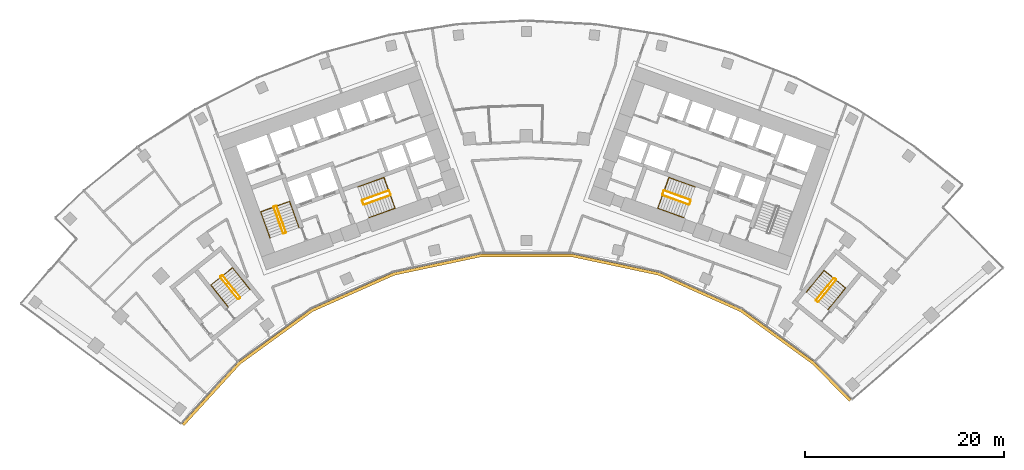
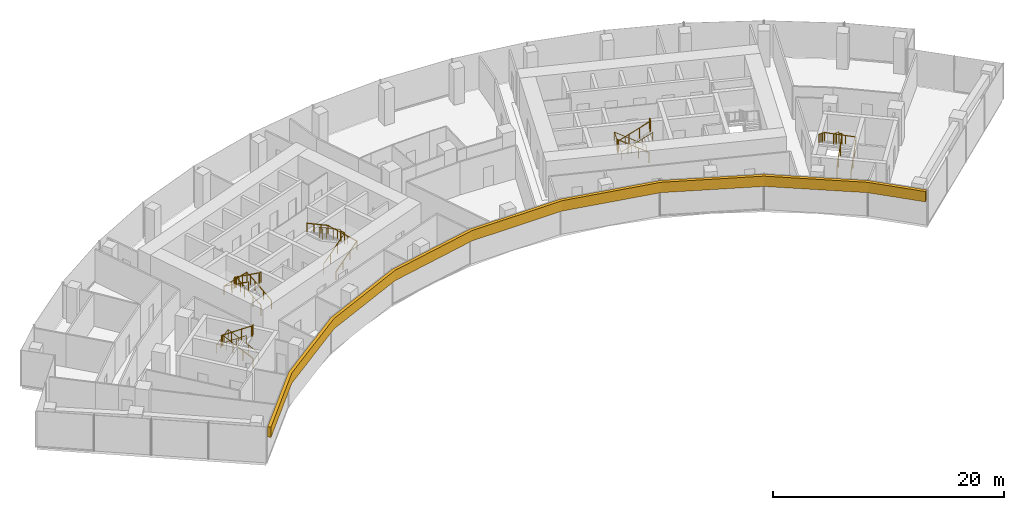
# One storey, part 19 of 20: 15 railings, 1 covering.
"""IFC4 building model written with IfcOpenShell, lengths in metres."""

import ifcopenshell
import ifcopenshell.guid

model = None  # the IFC model being written
_history = None  # IfcOwnerHistory: only IFC2X3 demands one
_inside = {}  # id of a spatial element -> (the spatial element, [elements in it])
_under = {}  # id of a project, library or spatial element -> (it, [spatial elements below it])
_declared = {}  # id of a project -> (the project, [libraries it declares])
_typed = {}  # id of a type object -> (the type object, [elements of that type])
_made_of = {}  # id of a material, layer set ... -> (it, [elements and type objects made of it])


def new_model(schema):
    """Start an empty IFC model of exactly this schema.

    Asked for "IFC4X3", IfcOpenShell would pick the latest addendum, in which some entities
    have other attributes; the version numbers below select the first issue.
    IFC2X3 requires an IfcOwnerHistory on every rooted entity: one is made here for all.
    """
    global model, _history
    if schema == "IFC4X3":
        model = ifcopenshell.file(schema_version=(4, 3, 0, 0))
    else:
        model = ifcopenshell.file(schema=schema)
    _inside.clear()
    _under.clear()
    _declared.clear()
    _typed.clear()
    _made_of.clear()
    _history = None
    if model.schema == "IFC2X3":
        org = make("IfcOrganization", Name="unknown")
        user = make(
            "IfcPersonAndOrganization",
            ThePerson=make("IfcPerson", FamilyName="unknown"),
            TheOrganization=org,
        )
        app = make(
            "IfcApplication",
            ApplicationDeveloper=org,
            Version="unknown",
            ApplicationFullName="unknown",
            ApplicationIdentifier="unknown",
        )
        _history = make(
            "IfcOwnerHistory",
            OwningUser=user,
            OwningApplication=app,
            ChangeAction="ADDED",
            CreationDate=0,
        )
    return model


def make(cls, **values):
    """One entity of the class cls with the attributes given. An attribute that is None is left unset."""
    return model.create_entity(
        cls, **{name: value for name, value in values.items() if value is not None}
    )


def rooted(cls, **values):
    """An entity with a GlobalId (a new one), such as an element, a storey or a relation."""
    return make(cls, GlobalId=ifcopenshell.guid.new(), OwnerHistory=_history, **values)


def si_unit(unit_type, name, prefix=None):
    """IfcSIUnit, for example si_unit("LENGTHUNIT", "METRE", prefix="MILLI")."""
    return make("IfcSIUnit", UnitType=unit_type, Prefix=prefix, Name=name)


def assignment(units):
    """IfcUnitAssignment: the units of a project."""
    return None if units is None else make("IfcUnitAssignment", Units=units)


def point(xyz):
    """IfcCartesianPoint."""
    return None if xyz is None else make("IfcCartesianPoint", Coordinates=xyz)


def direction(xyz):
    """IfcDirection."""
    return None if xyz is None else make("IfcDirection", DirectionRatios=xyz)


def frame(location, z_axis=None, x_axis=None):
    """IfcAxis2Placement3D, a coordinate frame: its origin and axes. An axis left out is left unset."""
    return make(
        "IfcAxis2Placement3D",
        Location=point(location),
        Axis=direction(z_axis),
        RefDirection=direction(x_axis),
    )


def frame_2d(location, x_axis=None):
    """IfcAxis2Placement2D, a coordinate frame in the plane: its origin and x axis."""
    return make(
        "IfcAxis2Placement2D", Location=point(location), RefDirection=direction(x_axis)
    )


def origin():
    """The frame at (0, 0, 0) with its axes left unset."""
    return frame((0.0, 0.0, 0.0))


def origin_2d():
    """The frame at (0, 0) in the plane with its x axis left unset."""
    return frame_2d((0.0, 0.0))


def place(relative_to, where):
    """IfcLocalPlacement: puts the frame where relative to a parent placement (None: the world)."""
    return make(
        "IfcLocalPlacement", PlacementRelTo=relative_to, RelativePlacement=where
    )


def context(
    kind, dimensions, precision=None, world=None, true_north=None, identifier=None
):
    """IfcGeometricRepresentationContext, for example the 3D "Model" context."""
    return make(
        "IfcGeometricRepresentationContext",
        ContextIdentifier=identifier,
        ContextType=kind,
        CoordinateSpaceDimension=dimensions,
        Precision=precision,
        WorldCoordinateSystem=world,
        TrueNorth=true_north,
    )


def subcontext(parent, identifier, kind, view, scale=None):
    """IfcGeometricRepresentationSubContext, for example "Body" below "Model"."""
    return make(
        "IfcGeometricRepresentationSubContext",
        ContextIdentifier=identifier,
        ContextType=kind,
        ParentContext=parent,
        TargetScale=scale,
        TargetView=view,
    )


def project(units=None, contexts=None):
    """IfcProject with its units and contexts."""
    return rooted(
        "IfcProject",
        Name="project",
        RepresentationContexts=contexts,
        UnitsInContext=assignment(units),
    )


def spatial(cls, under=None, at=None, **own):
    """A site, building, storey or space (cls), placed at a placement, below another one or the project."""
    s = rooted(cls, ObjectPlacement=at, **own)
    if under is not None:
        _under.setdefault(under.id(), (under, []))[1].append(s)
    return s


def polyline(points):
    """IfcPolyline through the points."""
    return make("IfcPolyline", Points=[point(p) for p in points])


def profile(cls, at=None, kind="AREA", **sizes):
    """A parametric profile (cls). Its sizes go by their IFC names, for example OverallWidth=200.0."""
    return make(cls, ProfileType=kind, Position=at, **sizes)


def circle(**sizes):
    """IfcCircleProfileDef."""
    return profile("IfcCircleProfileDef", **sizes)


def outline(outer, holes=None, kind="AREA"):
    """IfcArbitraryClosedProfileDef: a profile drawn as a closed curve; with holes, ...WithVoids."""
    if holes is None:
        return make("IfcArbitraryClosedProfileDef", ProfileType=kind, OuterCurve=outer)
    return make(
        "IfcArbitraryProfileDefWithVoids",
        ProfileType=kind,
        OuterCurve=outer,
        InnerCurves=holes,
    )


def extrude(swept, where, along, depth):
    """IfcExtrudedAreaSolid: the profile swept, set in the frame where, extruded along a direction by depth."""
    return make(
        "IfcExtrudedAreaSolid",
        SweptArea=swept,
        Position=where,
        ExtrudedDirection=direction(along),
        Depth=depth,
    )


def shape(context_of_items, identifier, shape_type, items):
    """IfcShapeRepresentation: the items that make up one representation, for example the "Body"."""
    return make(
        "IfcShapeRepresentation",
        ContextOfItems=context_of_items,
        RepresentationIdentifier=identifier,
        RepresentationType=shape_type,
        Items=items,
    )


def material(Name=None, Category=None):
    """IfcMaterial."""
    return make("IfcMaterial", Name=Name, Category=Category)


def layer(
    of_material, thickness, ventilated=None, Name=None, Category=None, Priority=None
):
    """IfcMaterialLayer: one layer of a wall or slab, of a material (None: an air gap)."""
    return make(
        "IfcMaterialLayer",
        Material=of_material,
        LayerThickness=thickness,
        IsVentilated=ventilated,
        Name=Name,
        Category=Category,
        Priority=Priority,
    )


def layer_set(layers, Name=None):
    """IfcMaterialLayerSet."""
    return make("IfcMaterialLayerSet", MaterialLayers=layers, LayerSetName=Name)


def made_of(thing, what):
    """Note that an element or type object is made of a material, layer set ...; save() writes the relation."""
    if what is not None:
        _made_of.setdefault(what.id(), (what, []))[1].append(thing)
    return thing


def type_object(cls, material=None, **own):
    """A type object (cls), such as IfcWallType, which elements share."""
    return made_of(rooted(cls, **own), material)


def element(
    cls,
    number,
    at=None,
    inside=None,
    cuts=None,
    type_object=None,
    material=None,
    context=None,
    identifier="Body",
    shape_type=None,
    held_by="IfcProductDefinitionShape",
    body=None,
    shapes=None,
    **own,
):
    """One element of the class cls, such as IfcWall. Its Tag is "e" and its number.

    at: its placement. inside: the storey or other place that contains it. cuts: it is an
    opening in that element (IfcRelVoidsElement). A single representation is given by context,
    identifier, shape_type and body (its items); several are given by shapes. held_by: the class
    of the entity that holds the representations. save() writes the other relations.
    """
    e = rooted(cls, Tag="e%d" % number, ObjectPlacement=at, **own)
    if body is not None:
        shapes = [shape(context, identifier, shape_type, body)]
    if shapes is not None:
        e.Representation = make(held_by, Representations=shapes)
    if inside is not None:
        _inside.setdefault(inside.id(), (inside, []))[1].append(e)
    if cuts is not None:
        rooted(
            "IfcRelVoidsElement", RelatingBuildingElement=cuts, RelatedOpeningElement=e
        )
    if type_object is not None:
        _typed.setdefault(type_object.id(), (type_object, []))[1].append(e)
    return made_of(e, material)


def aggregate(whole, parts):
    """IfcRelAggregates: a whole, such as a stair, and the parts it consists of."""
    return rooted("IfcRelAggregates", RelatingObject=whole, RelatedObjects=parts)


def save(model, path):
    """Write the relations noted so far, then the file.

    IfcRelAggregates (storeys below a building ...), IfcRelContainedInSpatialStructure (elements
    in a storey), IfcRelDefinesByType, IfcRelAssociatesMaterial and IfcRelDeclares: one each for
    every whole, place, type object, material and project.
    """
    for whole, parts in _under.values():
        aggregate(whole, parts)
    for where, things in _inside.values():
        rooted(
            "IfcRelContainedInSpatialStructure",
            RelatedElements=things,
            RelatingStructure=where,
        )
    for kind, things in _typed.values():
        rooted("IfcRelDefinesByType", RelatedObjects=things, RelatingType=kind)
    for what, things in _made_of.values():
        rooted("IfcRelAssociatesMaterial", RelatedObjects=things, RelatingMaterial=what)
    for by, libraries in _declared.values():
        rooted("IfcRelDeclares", RelatingContext=by, RelatedDefinitions=libraries)
    model.write(path)


model = new_model("IFC4")

# Units and contexts
model_context = context("Model", 3, precision=1e-05, world=origin(), true_north=direction((0.0, 1.0)))
body_context = subcontext(model_context, "Body", "Model", "MODEL_VIEW")
ifc_project = project(units=[si_unit("LENGTHUNIT", "METRE"), si_unit("AREAUNIT", "SQUARE_METRE"), si_unit("VOLUMEUNIT", "CUBIC_METRE"), si_unit("PLANEANGLEUNIT", "RADIAN"), si_unit("MASSUNIT", "GRAM", prefix="KILO")], contexts=[model_context])

# Site, building, storey
site_placement = place(None, origin())
site = spatial("IfcSite", under=ifc_project, at=site_placement, CompositionType="ELEMENT")
building_placement = place(site_placement, origin())
building = spatial("IfcBuilding", under=site, at=building_placement, Name="Stone Belt Terrace Tower", CompositionType="ELEMENT")
storey_placement = place(building_placement, frame((0.0, 0.0, 174.39990234375)))
storey = spatial("IfcBuildingStorey", under=building, at=storey_placement, Name="L42", CompositionType="ELEMENT", Elevation=174.39990234375)

# Railings
ifc_material_1 = material(Name="Structural steel C345", Category="steel")
railing_type_1 = type_object("IfcRailingType", Name="Stair guard 1100", PredefinedType="GUARDRAIL", material=ifc_material_1)
railing_1_placement = place(storey_placement, frame((-24.2119140625, 45.276123046875, 0.1728515625)))
element("IfcRailing", 1, at=railing_1_placement, inside=storey, type_object=railing_type_1, Name="L42 ST1A stair guard 1", PredefinedType="GUARDRAIL", context=body_context, shape_type="SweptSolid", body=[
    extrude(circle(Radius=0.02392578125, at=origin_2d()), frame((0.0, 0.0, 1.076171875), z_axis=(-0.288228637646, 0.800791768495, 0.525030280985), x_axis=(-0.940908529223, -0.338660803216, 0.0)), (0.0, 0.0, 1.0), 3.289794921875),
    extrude(circle(Radius=0.02392578125, at=origin_2d()), frame((-0.9482421875, 2.634521484375, 2.80322265625), z_axis=(-0.905209821074, 0.424964916, 0.0), x_axis=(-0.424964916, -0.905209821074, 0.0)), (0.0, 0.0, 1.0), 0.070556640625),
    extrude(circle(Radius=0.02392578125, at=origin_2d()), frame((-1.01220703125, 2.66455078125, 2.80322265625), z_axis=(-0.941105063269, -0.338114270461, 0.0), x_axis=(0.338114270461, -0.941105063269, 0.0)), (0.0, 0.0, 1.0), 0.199951171875),
    extrude(circle(Radius=0.02099609375, at=origin_2d()), origin(), (0.0, 0.0, 1.0), 1.052001953125),
    extrude(circle(Radius=0.02099609375, at=origin_2d()), frame((-0.316162109375, 0.878173828125, 0.57568359375)), (0.0, 0.0, 1.0), 1.052001953125),
    extrude(circle(Radius=0.02099609375, at=origin_2d()), frame((-0.632080078125, 1.75634765625, 1.151611328125)), (0.0, 0.0, 1.0), 1.052001953125),
    extrude(circle(Radius=0.02099609375, at=origin_2d()), frame((-0.9482421875, 2.634521484375, 1.727294921875)), (0.0, 0.0, 1.0), 1.052001953125),
    extrude(circle(Radius=0.02099609375, at=origin_2d()), frame((-1.01220703125, 2.66455078125, 1.727294921875)), (0.0, 0.0, 1.0), 1.052001953125),
    extrude(circle(Radius=0.02099609375, at=origin_2d()), frame((-1.200439453125, 2.596923828125, 1.727294921875)), (0.0, 0.0, 1.0), 1.052001953125),
])
railing_2_placement = place(storey_placement, frame((-25.4423828125, 47.80908203125, 2.07275390625)))
element("IfcRailing", 2, at=railing_2_placement, inside=storey, type_object=railing_type_1, Name="L42 ST1A stair guard 2", PredefinedType="GUARDRAIL", context=body_context, shape_type="SweptSolid", body=[
    extrude(circle(Radius=0.02392578125, at=origin_2d()), frame((0.0, 0.0, 1.076171875), z_axis=(0.288228637646, -0.800791768495, 0.525030280985), x_axis=(0.940908529223, 0.338660803216, 0.0)), (0.0, 0.0, 1.0), 3.289794921875),
    extrude(circle(Radius=0.02392578125, at=origin_2d()), frame((0.9482421875, -2.634521484375, 2.80322265625), z_axis=(0.903878284585, -0.427789722475, 0.0), x_axis=(0.427789722475, 0.903878284585, 0.0)), (0.0, 0.0, 1.0), 0.07080078125),
    extrude(circle(Radius=0.02392578125, at=origin_2d()), frame((1.01220703125, -2.664794921875, 2.80322265625), z_axis=(0.940575576748, 0.339584429008, 0.0), x_axis=(-0.339584429008, 0.940575576748, 0.0)), (0.0, 0.0, 1.0), 0.199951171875),
    extrude(circle(Radius=0.02099609375, at=origin_2d()), origin(), (0.0, 0.0, 1.0), 1.052001953125),
    extrude(circle(Radius=0.02099609375, at=origin_2d()), frame((0.316162109375, -0.878173828125, 0.57568359375)), (0.0, 0.0, 1.0), 1.052001953125),
    extrude(circle(Radius=0.02099609375, at=origin_2d()), frame((0.632080078125, -1.75634765625, 1.151611328125)), (0.0, 0.0, 1.0), 1.052001953125),
    extrude(circle(Radius=0.02099609375, at=origin_2d()), frame((0.9482421875, -2.634521484375, 1.727294921875)), (0.0, 0.0, 1.0), 1.052001953125),
    extrude(circle(Radius=0.02099609375, at=origin_2d()), frame((1.01220703125, -2.664794921875, 1.727294921875)), (0.0, 0.0, 1.0), 1.052001953125),
    extrude(circle(Radius=0.02099609375, at=origin_2d()), frame((1.2001953125, -2.596923828125, 1.727294921875)), (0.0, 0.0, 1.0), 1.052001953125),
])
railing_3_placement = place(storey_placement, frame((-16.33837890625, 48.056640625, 0.1728515625)))
element("IfcRailing", 3, at=railing_3_placement, inside=storey, type_object=railing_type_1, Name="L42 ST2A stair guard 1", PredefinedType="GUARDRAIL", context=body_context, shape_type="SweptSolid", body=[
    extrude(circle(Radius=0.02392578125, at=origin_2d()), frame((0.0, 0.0, 1.076171875), z_axis=(0.800808895155, 0.288160591223, 0.52504150989), x_axis=(-0.338583606334, 0.940936311087, 0.0)), (0.0, 0.0, 1.0), 3.289794921875),
    extrude(circle(Radius=0.02392578125, at=origin_2d()), frame((2.634521484375, 0.947998046875, 2.80322265625), z_axis=(0.427789722475, 0.903878284585, 0.0), x_axis=(-0.903878284585, 0.427789722475, 0.0)), (0.0, 0.0, 1.0), 0.07080078125),
    extrude(circle(Radius=0.02392578125, at=origin_2d()), frame((2.664794921875, 1.011962890625, 2.80322265625), z_axis=(-0.338654645739, 0.940910745459, 0.0), x_axis=(-0.940910745459, -0.338654645739, 0.0)), (0.0, 0.0, 1.0), 0.400146484375),
    extrude(circle(Radius=0.02099609375, at=origin_2d()), origin(), (0.0, 0.0, 1.0), 1.052001953125),
    extrude(circle(Radius=0.02099609375, at=origin_2d()), frame((0.878173828125, 0.31591796875, 0.57568359375)), (0.0, 0.0, 1.0), 1.052001953125),
    extrude(circle(Radius=0.02099609375, at=origin_2d()), frame((1.75634765625, 0.632080078125, 1.151611328125)), (0.0, 0.0, 1.0), 1.052001953125),
    extrude(circle(Radius=0.02099609375, at=origin_2d()), frame((2.634521484375, 0.947998046875, 1.727294921875)), (0.0, 0.0, 1.0), 1.052001953125),
    extrude(circle(Radius=0.02099609375, at=origin_2d()), frame((2.664794921875, 1.011962890625, 1.727294921875)), (0.0, 0.0, 1.0), 1.052001953125),
    extrude(circle(Radius=0.02099609375, at=origin_2d()), frame((2.529296875, 1.388427734375, 1.727294921875)), (0.0, 0.0, 1.0), 1.052001953125),
])
railing_4_placement = place(storey_placement, frame((-13.873046875, 49.47509765625, 2.07275390625)))
element("IfcRailing", 4, at=railing_4_placement, inside=storey, type_object=railing_type_1, Name="L42 ST2A stair guard 2", PredefinedType="GUARDRAIL", context=body_context, shape_type="SweptSolid", body=[
    extrude(circle(Radius=0.02392578125, at=origin_2d()), frame((0.0, 0.0, 1.076171875), z_axis=(-0.800808895155, -0.288160591223, 0.52504150989), x_axis=(0.338583606334, -0.940936311087, 0.0)), (0.0, 0.0, 1.0), 3.289794921875),
    extrude(circle(Radius=0.02392578125, at=origin_2d()), frame((-2.634521484375, -0.947998046875, 2.80322265625), z_axis=(-0.427789722475, -0.903878284585, 0.0), x_axis=(0.903878284585, -0.427789722475, 0.0)), (0.0, 0.0, 1.0), 0.07080078125),
    extrude(circle(Radius=0.02392578125, at=origin_2d()), frame((-2.664794921875, -1.011962890625, 2.80322265625), z_axis=(0.338654645739, -0.940910745459, 0.0), x_axis=(0.940910745459, 0.338654645739, 0.0)), (0.0, 0.0, 1.0), 0.400146484375),
    extrude(circle(Radius=0.02099609375, at=origin_2d()), origin(), (0.0, 0.0, 1.0), 1.052001953125),
    extrude(circle(Radius=0.02099609375, at=origin_2d()), frame((-0.878173828125, -0.31591796875, 0.57568359375)), (0.0, 0.0, 1.0), 1.052001953125),
    extrude(circle(Radius=0.02099609375, at=origin_2d()), frame((-1.75634765625, -0.632080078125, 1.151611328125)), (0.0, 0.0, 1.0), 1.052001953125),
    extrude(circle(Radius=0.02099609375, at=origin_2d()), frame((-2.634521484375, -0.947998046875, 1.727294921875)), (0.0, 0.0, 1.0), 1.052001953125),
    extrude(circle(Radius=0.02099609375, at=origin_2d()), frame((-2.664794921875, -1.011962890625, 1.727294921875)), (0.0, 0.0, 1.0), 1.052001953125),
    extrude(circle(Radius=0.02099609375, at=origin_2d()), frame((-2.529296875, -1.388427734375, 1.727294921875)), (0.0, 0.0, 1.0), 1.052001953125),
])
railing_5_placement = place(storey_placement, frame((16.507568359375, 48.527099609375, 0.1728515625)))
element("IfcRailing", 5, at=railing_5_placement, inside=storey, type_object=railing_type_1, Name="L42 ST2B stair guard 1", PredefinedType="GUARDRAIL", context=body_context, shape_type="SweptSolid", body=[
    extrude(circle(Radius=0.02392578125, at=origin_2d()), frame((0.0, 0.0, 1.076171875), z_axis=(-0.800808895155, 0.288160591223, 0.52504150989), x_axis=(-0.338583606334, -0.940936311087, 0.0)), (0.0, 0.0, 1.0), 3.289794921875),
    extrude(circle(Radius=0.02392578125, at=origin_2d()), frame((-2.634521484375, 0.947998046875, 2.80322265625), z_axis=(-0.905209821074, -0.424964916, 0.0), x_axis=(0.424964916, -0.905209821074, 0.0)), (0.0, 0.0, 1.0), 0.070556640625),
    extrude(circle(Radius=0.02392578125, at=origin_2d()), frame((-2.698486328125, 0.91796875, 2.80322265625), z_axis=(-0.338654645739, -0.940910745459, 0.0), x_axis=(0.940910745459, -0.338654645739, 0.0)), (0.0, 0.0, 1.0), 0.400146484375),
    extrude(circle(Radius=0.02099609375, at=origin_2d()), origin(), (0.0, 0.0, 1.0), 1.052001953125),
    extrude(circle(Radius=0.02099609375, at=origin_2d()), frame((-0.878173828125, 0.31591796875, 0.57568359375)), (0.0, 0.0, 1.0), 1.052001953125),
    extrude(circle(Radius=0.02099609375, at=origin_2d()), frame((-1.75634765625, 0.632080078125, 1.151611328125)), (0.0, 0.0, 1.0), 1.052001953125),
    extrude(circle(Radius=0.02099609375, at=origin_2d()), frame((-2.634521484375, 0.947998046875, 1.727294921875)), (0.0, 0.0, 1.0), 1.052001953125),
    extrude(circle(Radius=0.02099609375, at=origin_2d()), frame((-2.698486328125, 0.91796875, 1.727294921875)), (0.0, 0.0, 1.0), 1.052001953125),
    extrude(circle(Radius=0.02099609375, at=origin_2d()), frame((-2.833984375, 0.54150390625, 1.727294921875)), (0.0, 0.0, 1.0), 1.052001953125),
])
railing_6_placement = place(storey_placement, frame((13.703857421875, 49.004638671875, 2.07275390625)))
element("IfcRailing", 6, at=railing_6_placement, inside=storey, type_object=railing_type_1, Name="L42 ST2B stair guard 2", PredefinedType="GUARDRAIL", context=body_context, shape_type="SweptSolid", body=[
    extrude(circle(Radius=0.02392578125, at=origin_2d()), frame((0.0, 0.0, 1.076171875), z_axis=(0.800808895155, -0.288160591223, 0.52504150989), x_axis=(0.338583606334, 0.940936311087, 0.0)), (0.0, 0.0, 1.0), 3.289794921875),
    extrude(circle(Radius=0.02392578125, at=origin_2d()), frame((2.634521484375, -0.947998046875, 2.80322265625), z_axis=(0.905209821074, 0.424964916, 0.0), x_axis=(-0.424964916, 0.905209821074, 0.0)), (0.0, 0.0, 1.0), 0.070556640625),
    extrude(circle(Radius=0.02392578125, at=origin_2d()), frame((2.698486328125, -0.91796875, 2.80322265625), z_axis=(0.338654645739, 0.940910745459, 0.0), x_axis=(-0.940910745459, 0.338654645739, 0.0)), (0.0, 0.0, 1.0), 0.400146484375),
    extrude(circle(Radius=0.02099609375, at=origin_2d()), origin(), (0.0, 0.0, 1.0), 1.052001953125),
    extrude(circle(Radius=0.02099609375, at=origin_2d()), frame((0.878173828125, -0.31591796875, 0.57568359375)), (0.0, 0.0, 1.0), 1.052001953125),
    extrude(circle(Radius=0.02099609375, at=origin_2d()), frame((1.75634765625, -0.632080078125, 1.151611328125)), (0.0, 0.0, 1.0), 1.052001953125),
    extrude(circle(Radius=0.02099609375, at=origin_2d()), frame((2.634521484375, -0.947998046875, 1.727294921875)), (0.0, 0.0, 1.0), 1.052001953125),
    extrude(circle(Radius=0.02099609375, at=origin_2d()), frame((2.698486328125, -0.91796875, 1.727294921875)), (0.0, 0.0, 1.0), 1.052001953125),
    extrude(circle(Radius=0.02099609375, at=origin_2d()), frame((2.833984375, -0.54150390625, 1.727294921875)), (0.0, 0.0, 1.0), 1.052001953125),
])
railing_7_placement = place(storey_placement, frame((-28.814208984375, 38.734619140625, 0.1728515625)))
element("IfcRailing", 7, at=railing_7_placement, inside=storey, type_object=railing_type_1, Name="L42 ST3A stair guard 1", PredefinedType="GUARDRAIL", context=body_context, shape_type="SweptSolid", body=[
    extrude(circle(Radius=0.02392578125, at=origin_2d()), frame((0.0, 0.0, 1.076171875), z_axis=(-0.530306321799, 0.665665785969, 0.525037395288), x_axis=(-0.782143211408, -0.623098705543, 0.0)), (0.0, 0.0, 1.0), 3.289794921875),
    extrude(circle(Radius=0.02392578125, at=origin_2d()), frame((-1.74462890625, 2.18994140625, 2.80322265625), z_axis=(-0.993883734674, 0.110431526075, 0.0), x_axis=(-0.110431526075, -0.993883734674, 0.0)), (0.0, 0.0, 1.0), 0.07080078125),
    extrude(circle(Radius=0.02392578125, at=origin_2d()), frame((-1.81494140625, 2.19775390625, 2.80322265625), z_axis=(-0.782533463299, -0.622608527742, 0.0), x_axis=(0.622608527742, -0.782533463299, 0.0)), (0.0, 0.0, 1.0), 0.199951171875),
    extrude(circle(Radius=0.02099609375, at=origin_2d()), origin(), (0.0, 0.0, 1.0), 1.052001953125),
    extrude(circle(Radius=0.02099609375, at=origin_2d()), frame((-0.58154296875, 0.72998046875, 0.57568359375)), (0.0, 0.0, 1.0), 1.052001953125),
    extrude(circle(Radius=0.02099609375, at=origin_2d()), frame((-1.1630859375, 1.4599609375, 1.151611328125)), (0.0, 0.0, 1.0), 1.052001953125),
    extrude(circle(Radius=0.02099609375, at=origin_2d()), frame((-1.74462890625, 2.18994140625, 1.727294921875)), (0.0, 0.0, 1.0), 1.052001953125),
    extrude(circle(Radius=0.02099609375, at=origin_2d()), frame((-1.81494140625, 2.19775390625, 1.727294921875)), (0.0, 0.0, 1.0), 1.052001953125),
    extrude(circle(Radius=0.02099609375, at=origin_2d()), frame((-1.971435546875, 2.0732421875, 1.727294921875)), (0.0, 0.0, 1.0), 1.052001953125),
])
railing_8_placement = place(storey_placement, frame((-30.793701171875, 40.737548828125, 2.07275390625)))
element("IfcRailing", 8, at=railing_8_placement, inside=storey, type_object=railing_type_1, Name="L42 ST3A stair guard 2", PredefinedType="GUARDRAIL", context=body_context, shape_type="SweptSolid", body=[
    extrude(circle(Radius=0.02392578125, at=origin_2d()), frame((0.0, 0.0, 1.076171875), z_axis=(0.530359659125, -0.665639588968, 0.525016732659), x_axis=(0.782100716982, 0.62315204284, 0.0)), (0.0, 0.0, 1.0), 3.2900390625),
    extrude(circle(Radius=0.02392578125, at=origin_2d()), frame((1.744873046875, -2.18994140625, 2.80322265625), z_axis=(0.993499272973, -0.113838458361, 0.0), x_axis=(0.113838458361, 0.993499272973, 0.0)), (0.0, 0.0, 1.0), 0.07080078125),
    extrude(circle(Radius=0.02392578125, at=origin_2d()), frame((1.815185546875, -2.197998046875, 2.80322265625), z_axis=(0.781464082609, 0.623950228458, 0.0), x_axis=(-0.623950228458, 0.781464082609, 0.0)), (0.0, 0.0, 1.0), 0.199951171875),
    extrude(circle(Radius=0.02099609375, at=origin_2d()), origin(), (0.0, 0.0, 1.0), 1.052001953125),
    extrude(circle(Radius=0.02099609375, at=origin_2d()), frame((0.58154296875, -0.72998046875, 0.57568359375)), (0.0, 0.0, 1.0), 1.052001953125),
    extrude(circle(Radius=0.02099609375, at=origin_2d()), frame((1.163330078125, -1.4599609375, 1.151611328125)), (0.0, 0.0, 1.0), 1.052001953125),
    extrude(circle(Radius=0.02099609375, at=origin_2d()), frame((1.744873046875, -2.18994140625, 1.727294921875)), (0.0, 0.0, 1.0), 1.052001953125),
    extrude(circle(Radius=0.02099609375, at=origin_2d()), frame((1.815185546875, -2.197998046875, 1.727294921875)), (0.0, 0.0, 1.0), 1.052001953125),
    extrude(circle(Radius=0.02099609375, at=origin_2d()), frame((1.971435546875, -2.0732421875, 1.727294921875)), (0.0, 0.0, 1.0), 1.052001953125),
])
railing_9_placement = place(storey_placement, frame((29.39794921875, 38.281982421875, 0.1728515625)))
element("IfcRailing", 9, at=railing_9_placement, inside=storey, type_object=railing_type_1, Name="L42 ST3B stair guard 1", PredefinedType="GUARDRAIL", context=body_context, shape_type="SweptSolid", body=[
    extrude(circle(Radius=0.02392578125, at=origin_2d()), frame((0.0, 0.0, 1.076171875), z_axis=(0.536393061503, 0.660769759217, 0.525038864158), x_axis=(-0.776391310223, 0.630251166924, 0.0)), (0.0, 0.0, 1.0), 3.289794921875),
    extrude(circle(Radius=0.02392578125, at=origin_2d()), frame((1.7646484375, 2.173828125, 2.80322265625), z_axis=(-0.103251414163, 0.994655289773, 0.0), x_axis=(-0.994655289773, -0.103251414163, 0.0)), (0.0, 0.0, 1.0), 0.071044921875),
    extrude(circle(Radius=0.02392578125, at=origin_2d()), frame((1.75732421875, 2.244384765625, 2.80322265625), z_axis=(-0.776561986372, 0.630040856868, 0.0), x_axis=(-0.630040856868, -0.776561986372, 0.0)), (0.0, 0.0, 1.0), 0.199951171875),
    extrude(circle(Radius=0.02099609375, at=origin_2d()), origin(), (0.0, 0.0, 1.0), 1.052001953125),
    extrude(circle(Radius=0.02099609375, at=origin_2d()), frame((0.588134765625, 0.724609375, 0.57568359375)), (0.0, 0.0, 1.0), 1.052001953125),
    extrude(circle(Radius=0.02099609375, at=origin_2d()), frame((1.176513671875, 1.44921875, 1.151611328125)), (0.0, 0.0, 1.0), 1.052001953125),
    extrude(circle(Radius=0.02099609375, at=origin_2d()), frame((1.7646484375, 2.173828125, 1.727294921875)), (0.0, 0.0, 1.0), 1.052001953125),
    extrude(circle(Radius=0.02099609375, at=origin_2d()), frame((1.75732421875, 2.244384765625, 1.727294921875)), (0.0, 0.0, 1.0), 1.052001953125),
    extrude(circle(Radius=0.02099609375, at=origin_2d()), frame((1.60205078125, 2.370361328125, 1.727294921875)), (0.0, 0.0, 1.0), 1.052001953125),
])
railing_10_placement = place(storey_placement, frame((30.9296875, 40.64501953125, 2.07275390625)))
element("IfcRailing", 10, at=railing_10_placement, inside=storey, type_object=railing_type_1, Name="L42 ST3B stair guard 2", PredefinedType="GUARDRAIL", context=body_context, shape_type="SweptSolid", body=[
    extrude(circle(Radius=0.02392578125, at=origin_2d()), frame((0.0, 0.0, 1.076171875), z_axis=(-0.536366759382, -0.660811565066, 0.525013118792), x_axis=(0.776425942316, -0.630208502084, 0.0)), (0.0, 0.0, 1.0), 3.2900390625),
    extrude(circle(Radius=0.02392578125, at=origin_2d()), frame((-1.7646484375, -2.174072265625, 2.80322265625), z_axis=(0.103606084259, -0.994618408891, 0.0), x_axis=(0.994618408891, 0.103606084259, 0.0)), (0.0, 0.0, 1.0), 0.07080078125),
    extrude(circle(Radius=0.02392578125, at=origin_2d()), frame((-1.75732421875, -2.244384765625, 2.80322265625), z_axis=(0.776561986372, -0.630040856868, 0.0), x_axis=(0.630040856868, 0.776561986372, 0.0)), (0.0, 0.0, 1.0), 0.199951171875),
    extrude(circle(Radius=0.02099609375, at=origin_2d()), origin(), (0.0, 0.0, 1.0), 1.052001953125),
    extrude(circle(Radius=0.02099609375, at=origin_2d()), frame((-0.588134765625, -0.724609375, 0.57568359375)), (0.0, 0.0, 1.0), 1.052001953125),
    extrude(circle(Radius=0.02099609375, at=origin_2d()), frame((-1.176513671875, -1.449462890625, 1.151611328125)), (0.0, 0.0, 1.0), 1.052001953125),
    extrude(circle(Radius=0.02099609375, at=origin_2d()), frame((-1.7646484375, -2.174072265625, 1.727294921875)), (0.0, 0.0, 1.0), 1.052001953125),
    extrude(circle(Radius=0.02099609375, at=origin_2d()), frame((-1.75732421875, -2.244384765625, 1.727294921875)), (0.0, 0.0, 1.0), 1.052001953125),
    extrude(circle(Radius=0.02099609375, at=origin_2d()), frame((-1.60205078125, -2.370361328125, 1.727294921875)), (0.0, 0.0, 1.0), 1.052001953125),
])
railing_type_2 = type_object("IfcRailingType", Name="Stair handrail 900", PredefinedType="HANDRAIL", material=ifc_material_1)
railing_11_placement = place(storey_placement, frame((-22.894775390625, 45.750244140625, 0.1728515625)))
element("IfcRailing", 11, at=railing_11_placement, inside=storey, type_object=railing_type_2, Name="L42 ST1A stair handrail 1", PredefinedType="HANDRAIL", context=body_context, shape_type="SweptSolid", body=[
    extrude(circle(Radius=0.02392578125, at=origin_2d()), frame((0.0, 0.0, 0.8759765625), z_axis=(-0.288160591223, 0.800808895155, 0.52504150989), x_axis=(-0.940936311087, -0.338583606334, 0.0)), (0.0, 0.0, 1.0), 3.289794921875),
    extrude(circle(Radius=0.02392578125, at=origin_2d()), frame((-0.947998046875, 2.634521484375, 2.60302734375), z_axis=(-0.939464517435, -0.338106580597, 0.055591012205), x_axis=(0.338630230244, -0.940919532779, 0.0)), (0.0, 0.0, 1.0), 3.10498046875),
    extrude(circle(Radius=0.02392578125, at=origin_2d()), frame((-3.864990234375, 1.584716796875, 2.77587890625), z_axis=(0.288228637646, -0.800791768495, 0.525030280985), x_axis=(0.940908529223, 0.338660803216, 0.0)), (0.0, 0.0, 1.0), 3.289794921875),
    extrude(circle(Radius=0.02099609375, at=origin_2d()), origin(), (0.0, 0.0, 1.0), 0.851806640625),
    extrude(circle(Radius=0.02099609375, at=origin_2d()), frame((-0.31591796875, 0.878173828125, 0.57568359375)), (0.0, 0.0, 1.0), 0.851806640625),
    extrude(circle(Radius=0.02099609375, at=origin_2d()), frame((-0.632080078125, 1.75634765625, 1.151611328125)), (0.0, 0.0, 1.0), 0.851806640625),
    extrude(circle(Radius=0.02099609375, at=origin_2d()), frame((-0.947998046875, 2.634521484375, 1.727294921875)), (0.0, 0.0, 1.0), 0.851806640625),
    extrude(circle(Radius=0.02099609375, at=origin_2d()), frame((-1.92041015625, 2.28466796875, 1.784912109375)), (0.0, 0.0, 1.0), 0.851806640625),
    extrude(circle(Radius=0.02099609375, at=origin_2d()), frame((-2.892578125, 1.9345703125, 1.84228515625)), (0.0, 0.0, 1.0), 0.851806640625),
    extrude(circle(Radius=0.02099609375, at=origin_2d()), frame((-3.864990234375, 1.584716796875, 1.89990234375)), (0.0, 0.0, 1.0), 0.851806640625),
    extrude(circle(Radius=0.02099609375, at=origin_2d()), frame((-3.548828125, 0.70654296875, 2.4755859375)), (0.0, 0.0, 1.0), 0.851806640625),
    extrude(circle(Radius=0.02099609375, at=origin_2d()), frame((-3.23291015625, -0.171630859375, 3.051513671875)), (0.0, 0.0, 1.0), 0.851806640625),
    extrude(circle(Radius=0.02099609375, at=origin_2d()), frame((-2.916748046875, -1.0498046875, 3.627197265625)), (0.0, 0.0, 1.0), 0.851806640625),
])
railing_12_placement = place(storey_placement, frame((-15.8642578125, 46.7392578125, 0.1728515625)))
element("IfcRailing", 12, at=railing_12_placement, inside=storey, type_object=railing_type_2, Name="L42 ST2A stair handrail 1", PredefinedType="HANDRAIL", context=body_context, shape_type="SweptSolid", body=[
    extrude(circle(Radius=0.02392578125, at=origin_2d()), frame((0.0, 0.0, 0.8759765625), z_axis=(0.800791768495, 0.288228637646, 0.525030280985), x_axis=(-0.338660803216, 0.940908529223, 0.0)), (0.0, 0.0, 1.0), 3.289794921875),
    extrude(circle(Radius=0.02392578125, at=origin_2d()), frame((2.634521484375, 0.9482421875, 2.60302734375), z_axis=(-0.338160254016, 0.939637778147, 0.052234935458), x_axis=(-0.940922302781, -0.338622533404, 0.0)), (0.0, 0.0, 1.0), 3.304443359375),
    extrude(circle(Radius=0.02392578125, at=origin_2d()), frame((1.51708984375, 4.05322265625, 2.77587890625), z_axis=(-0.800791768495, -0.288228637646, 0.525030280985), x_axis=(0.338660803216, -0.940908529223, 0.0)), (0.0, 0.0, 1.0), 3.289794921875),
    extrude(circle(Radius=0.02099609375, at=origin_2d()), origin(), (0.0, 0.0, 1.0), 0.851806640625),
    extrude(circle(Radius=0.02099609375, at=origin_2d()), frame((0.878173828125, 0.316162109375, 0.57568359375)), (0.0, 0.0, 1.0), 0.851806640625),
    extrude(circle(Radius=0.02099609375, at=origin_2d()), frame((1.75634765625, 0.632080078125, 1.151611328125)), (0.0, 0.0, 1.0), 0.851806640625),
    extrude(circle(Radius=0.02099609375, at=origin_2d()), frame((2.634521484375, 0.9482421875, 1.727294921875)), (0.0, 0.0, 1.0), 0.851806640625),
    extrude(circle(Radius=0.02099609375, at=origin_2d()), frame((2.261962890625, 1.983154296875, 1.784912109375)), (0.0, 0.0, 1.0), 0.851806640625),
    extrude(circle(Radius=0.02099609375, at=origin_2d()), frame((1.8896484375, 3.018310546875, 1.84228515625)), (0.0, 0.0, 1.0), 0.851806640625),
    extrude(circle(Radius=0.02099609375, at=origin_2d()), frame((1.51708984375, 4.05322265625, 1.89990234375)), (0.0, 0.0, 1.0), 0.851806640625),
    extrude(circle(Radius=0.02099609375, at=origin_2d()), frame((0.638916015625, 3.737060546875, 2.4755859375)), (0.0, 0.0, 1.0), 0.851806640625),
    extrude(circle(Radius=0.02099609375, at=origin_2d()), frame((-0.2392578125, 3.421142578125, 3.051513671875)), (0.0, 0.0, 1.0), 0.851806640625),
    extrude(circle(Radius=0.02099609375, at=origin_2d()), frame((-1.117431640625, 3.10498046875, 3.627197265625)), (0.0, 0.0, 1.0), 0.851806640625),
])
railing_13_placement = place(storey_placement, frame((16.981689453125, 49.84423828125, 0.1728515625)))
element("IfcRailing", 13, at=railing_13_placement, inside=storey, type_object=railing_type_2, Name="L42 ST2B stair handrail 1", PredefinedType="HANDRAIL", context=body_context, shape_type="SweptSolid", body=[
    extrude(circle(Radius=0.02392578125, at=origin_2d()), frame((0.0, 0.0, 0.8759765625), z_axis=(-0.800791768495, 0.288228637646, 0.525030280985), x_axis=(-0.338660803216, -0.940908529223, 0.0)), (0.0, 0.0, 1.0), 3.289794921875),
    extrude(circle(Radius=0.02392578125, at=origin_2d()), frame((-2.634521484375, 0.9482421875, 2.60302734375), z_axis=(-0.338160254016, -0.939637778147, 0.052234935458), x_axis=(0.940922302781, -0.338622533404, 0.0)), (0.0, 0.0, 1.0), 3.304443359375),
    extrude(circle(Radius=0.02392578125, at=origin_2d()), frame((-3.751953125, -2.15673828125, 2.77587890625), z_axis=(0.800791768495, -0.288228637646, 0.525030280985), x_axis=(0.338660803216, 0.940908529223, 0.0)), (0.0, 0.0, 1.0), 3.289794921875),
    extrude(circle(Radius=0.02099609375, at=origin_2d()), origin(), (0.0, 0.0, 1.0), 0.851806640625),
    extrude(circle(Radius=0.02099609375, at=origin_2d()), frame((-0.878173828125, 0.316162109375, 0.57568359375)), (0.0, 0.0, 1.0), 0.851806640625),
    extrude(circle(Radius=0.02099609375, at=origin_2d()), frame((-1.75634765625, 0.632080078125, 1.151611328125)), (0.0, 0.0, 1.0), 0.851806640625),
    extrude(circle(Radius=0.02099609375, at=origin_2d()), frame((-2.634521484375, 0.9482421875, 1.727294921875)), (0.0, 0.0, 1.0), 0.851806640625),
    extrude(circle(Radius=0.02099609375, at=origin_2d()), frame((-3.007080078125, -0.086669921875, 1.784912109375)), (0.0, 0.0, 1.0), 0.851806640625),
    extrude(circle(Radius=0.02099609375, at=origin_2d()), frame((-3.37939453125, -1.121826171875, 1.84228515625)), (0.0, 0.0, 1.0), 0.851806640625),
    extrude(circle(Radius=0.02099609375, at=origin_2d()), frame((-3.751953125, -2.15673828125, 1.89990234375)), (0.0, 0.0, 1.0), 0.851806640625),
    extrude(circle(Radius=0.02099609375, at=origin_2d()), frame((-2.873779296875, -2.472900390625, 2.4755859375)), (0.0, 0.0, 1.0), 0.851806640625),
    extrude(circle(Radius=0.02099609375, at=origin_2d()), frame((-1.99560546875, -2.788818359375, 3.051513671875)), (0.0, 0.0, 1.0), 0.851806640625),
    extrude(circle(Radius=0.02099609375, at=origin_2d()), frame((-1.117431640625, -3.10498046875, 3.627197265625)), (0.0, 0.0, 1.0), 0.851806640625),
])
railing_14_placement = place(storey_placement, frame((-27.836669921875, 39.513427734375, 0.1728515625)))
element("IfcRailing", 14, at=railing_14_placement, inside=storey, type_object=railing_type_2, Name="L42 ST3A stair handrail 1", PredefinedType="HANDRAIL", context=body_context, shape_type="SweptSolid", body=[
    extrude(circle(Radius=0.02392578125, at=origin_2d()), frame((0.0, 0.0, 0.8759765625), z_axis=(-0.530306321799, 0.665665785969, 0.525037395288), x_axis=(-0.782143211408, -0.623098705543, 0.0)), (0.0, 0.0, 1.0), 3.289794921875),
    extrude(circle(Radius=0.02392578125, at=origin_2d()), frame((-1.74462890625, 2.18994140625, 2.60302734375), z_axis=(-0.780661215256, -0.62191806513, 0.061530376721), x_axis=(0.623098705543, -0.782143211408, 0.0)), (0.0, 0.0, 1.0), 2.80517578125),
    extrude(circle(Radius=0.02392578125, at=origin_2d()), frame((-3.9345703125, 0.4453125, 2.77587890625), z_axis=(0.530306321799, -0.665665785969, 0.525037395288), x_axis=(0.782143211408, 0.623098705543, 0.0)), (0.0, 0.0, 1.0), 3.289794921875),
    extrude(circle(Radius=0.02099609375, at=origin_2d()), origin(), (0.0, 0.0, 1.0), 0.851806640625),
    extrude(circle(Radius=0.02099609375, at=origin_2d()), frame((-0.58154296875, 0.72998046875, 0.57568359375)), (0.0, 0.0, 1.0), 0.851806640625),
    extrude(circle(Radius=0.02099609375, at=origin_2d()), frame((-1.1630859375, 1.4599609375, 1.151611328125)), (0.0, 0.0, 1.0), 0.851806640625),
    extrude(circle(Radius=0.02099609375, at=origin_2d()), frame((-1.74462890625, 2.18994140625, 1.727294921875)), (0.0, 0.0, 1.0), 0.851806640625),
    extrude(circle(Radius=0.02099609375, at=origin_2d()), frame((-2.474609375, 1.6083984375, 1.784912109375)), (0.0, 0.0, 1.0), 0.851806640625),
    extrude(circle(Radius=0.02099609375, at=origin_2d()), frame((-3.20458984375, 1.02685546875, 1.84228515625)), (0.0, 0.0, 1.0), 0.851806640625),
    extrude(circle(Radius=0.02099609375, at=origin_2d()), frame((-3.9345703125, 0.4453125, 1.89990234375)), (0.0, 0.0, 1.0), 0.851806640625),
    extrude(circle(Radius=0.02099609375, at=origin_2d()), frame((-3.35302734375, -0.28466796875, 2.4755859375)), (0.0, 0.0, 1.0), 0.851806640625),
    extrude(circle(Radius=0.02099609375, at=origin_2d()), frame((-2.771484375, -1.0146484375, 3.051513671875)), (0.0, 0.0, 1.0), 0.851806640625),
    extrude(circle(Radius=0.02099609375, at=origin_2d()), frame((-2.18994140625, -1.74462890625, 3.627197265625)), (0.0, 0.0, 1.0), 0.851806640625),
])
railing_15_placement = place(storey_placement, frame((30.36865234375, 37.494140625, 0.1728515625)))
element("IfcRailing", 15, at=railing_15_placement, inside=storey, type_object=railing_type_2, Name="L42 ST3B stair handrail 1", PredefinedType="HANDRAIL", context=body_context, shape_type="SweptSolid", body=[
    extrude(circle(Radius=0.02392578125, at=origin_2d()), frame((0.0, 0.0, 0.8759765625), z_axis=(0.536366759382, 0.660811565066, 0.525013118792), x_axis=(-0.776425942316, 0.630208502084, 0.0)), (0.0, 0.0, 1.0), 3.2900390625),
    extrude(circle(Radius=0.02392578125, at=origin_2d()), frame((1.7646484375, 2.174072265625, 2.60302734375), z_axis=(-0.774954966459, 0.629014542119, 0.061526463929), x_axis=(-0.630208502084, -0.776425942316, 0.0)), (0.0, 0.0, 1.0), 2.805419921875),
    extrude(circle(Radius=0.02392578125, at=origin_2d()), frame((-0.409423828125, 3.938720703125, 2.77587890625), z_axis=(-0.536366759382, -0.660811565066, 0.525013118792), x_axis=(0.776425942316, -0.630208502084, 0.0)), (0.0, 0.0, 1.0), 3.2900390625),
    extrude(circle(Radius=0.02099609375, at=origin_2d()), origin(), (0.0, 0.0, 1.0), 0.851806640625),
    extrude(circle(Radius=0.02099609375, at=origin_2d()), frame((0.588134765625, 0.724609375, 0.57568359375)), (0.0, 0.0, 1.0), 0.851806640625),
    extrude(circle(Radius=0.02099609375, at=origin_2d()), frame((1.176513671875, 1.449462890625, 1.151611328125)), (0.0, 0.0, 1.0), 0.851806640625),
    extrude(circle(Radius=0.02099609375, at=origin_2d()), frame((1.7646484375, 2.174072265625, 1.727294921875)), (0.0, 0.0, 1.0), 0.851806640625),
    extrude(circle(Radius=0.02099609375, at=origin_2d()), frame((1.0400390625, 2.76220703125, 1.784912109375)), (0.0, 0.0, 1.0), 0.851806640625),
    extrude(circle(Radius=0.02099609375, at=origin_2d()), frame((0.315185546875, 3.3505859375, 1.84228515625)), (0.0, 0.0, 1.0), 0.851806640625),
    extrude(circle(Radius=0.02099609375, at=origin_2d()), frame((-0.409423828125, 3.938720703125, 1.89990234375)), (0.0, 0.0, 1.0), 0.851806640625),
    extrude(circle(Radius=0.02099609375, at=origin_2d()), frame((-0.99755859375, 3.214111328125, 2.4755859375)), (0.0, 0.0, 1.0), 0.851806640625),
    extrude(circle(Radius=0.02099609375, at=origin_2d()), frame((-1.5859375, 2.4892578125, 3.051513671875)), (0.0, 0.0, 1.0), 0.851806640625),
    extrude(circle(Radius=0.02099609375, at=origin_2d()), frame((-2.174072265625, 1.7646484375, 3.627197265625)), (0.0, 0.0, 1.0), 0.851806640625),
])

# Covering
ifc_material_2 = material(Name="Terracotta coloured glazed ceramic", Category="masonry")
ifc_layer = layer(ifc_material_2, 0.300048828125)
ifc_layer_set = layer_set([ifc_layer], Name="Terracotta spandrel band 300 x 1100")
covering_type = type_object("IfcCoveringType", Name="Terracotta spandrel band 300 x 1100", PredefinedType="CLADDING", material=ifc_layer_set)
covering_placement = place(storey_placement, frame((0.0, 0.0, 2.7001953125)))
element("IfcCovering", 16, at=covering_placement, inside=storey, type_object=covering_type, Name="BAND L42", PredefinedType="CLADDING", context=body_context, shape_type="SweptSolid", body=[
    extrude(outline(polyline([(-34.688720703125, 25.99951171875), (-29.0068359375, 32.21435546875), (-21.674560546875, 37.54150390625), (-13.395751953125, 41.2275390625), (-4.53125, 43.11181640625), (4.53125, 43.11181640625), (13.395751953125, 41.2275390625), (21.674560546875, 37.54150390625), (29.009033203125, 32.212646484375), (32.703857421875, 28.455322265625), (32.489990234375, 28.244873046875), (28.8125, 31.984619140625), (21.523681640625, 37.2802734375), (13.302490234375, 40.940673828125), (4.499755859375, 42.811767578125), (-4.499755859375, 42.811767578125), (-13.302490234375, 40.940673828125), (-21.523681640625, 37.2802734375), (-28.805908203125, 31.989501953125), (-34.46728515625, 25.797119140625), (-34.688720703125, 25.99951171875)])), origin(), (0.0, 0.0, 1.0), 1.099853515625),
])

save(model, "model.ifc")
